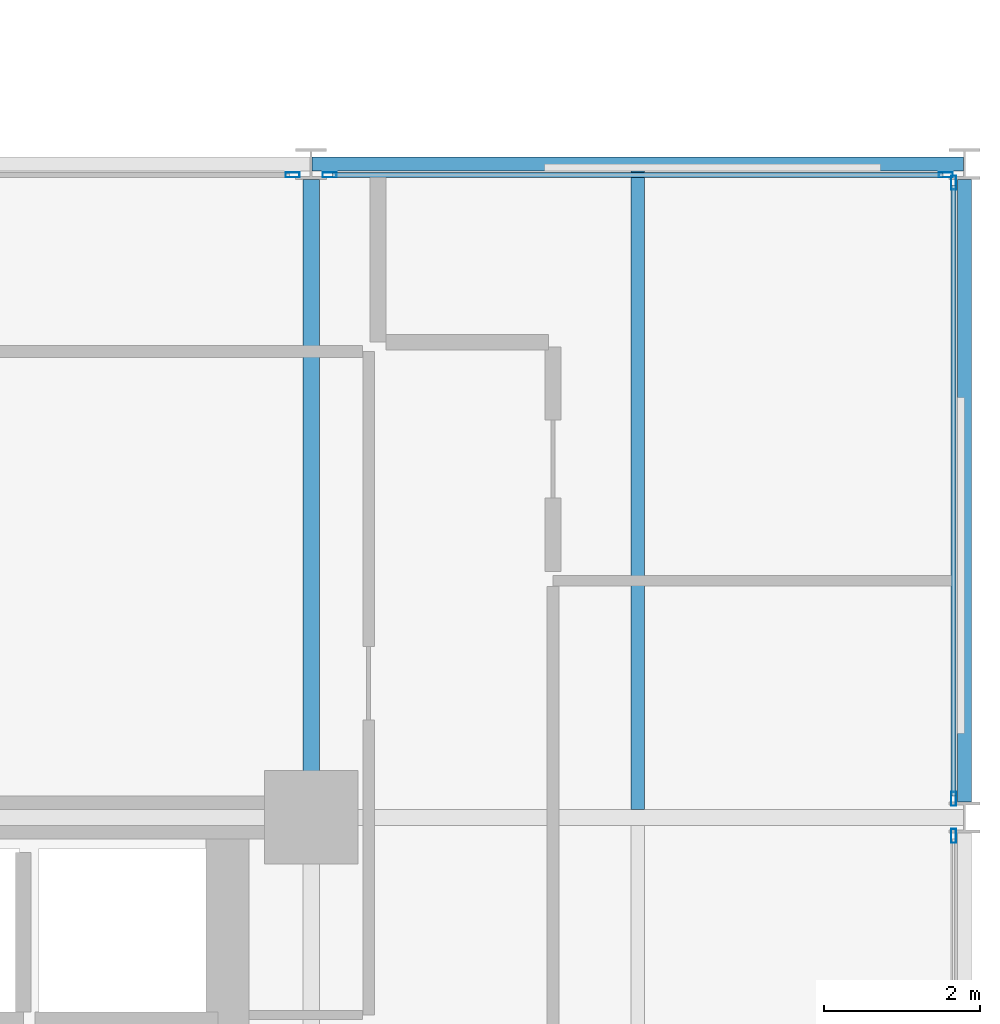
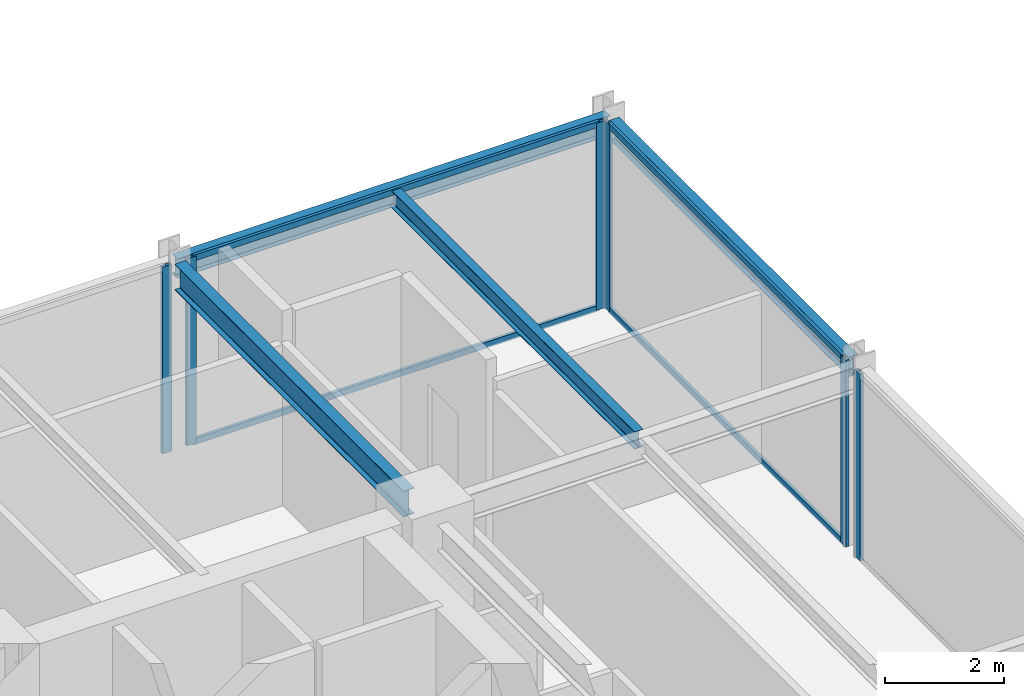
# One storey, part 15 of 29: 10 members, 4 beams, 4 elements without a shape of their own.
"""IFC4 building model written with IfcOpenShell, lengths in metres."""

from ifc_helpers import new_model, si_unit, direction, frame, origin, origin_2d, place, context, subcontext, project, spatial, hollow_rectangle, i_section, extrude, material, layer, layer_set, material_profile, profile_set, type_object, element, aggregate, save


model = new_model("IFC4")

# Units and contexts
model_context = context("Model", 3, precision=1e-05, world=origin(), true_north=direction((0.0, 1.0)))
body_context = subcontext(model_context, "Body", "Model", "MODEL_VIEW")
ifc_project = project(units=[si_unit("LENGTHUNIT", "METRE"), si_unit("AREAUNIT", "SQUARE_METRE"), si_unit("VOLUMEUNIT", "CUBIC_METRE"), si_unit("PLANEANGLEUNIT", "RADIAN"), si_unit("MASSUNIT", "GRAM", prefix="KILO")], contexts=[model_context])

# Site, building, storey
site_placement = place(None, origin())
site = spatial("IfcSite", under=ifc_project, at=site_placement, CompositionType="ELEMENT")
building_placement = place(site_placement, origin())
building = spatial("IfcBuilding", under=site, at=building_placement, Name="Nerrivon Quay Data Exchange", CompositionType="ELEMENT")
storey_placement = place(building_placement, frame((0.0, 0.0, 145.89990234375)))
storey = spatial("IfcBuildingStorey", under=building, at=storey_placement, Name="L34", CompositionType="ELEMENT", Elevation=145.89990234375)

# Beams
ifc_material_1 = material(Name="Steel Grade 350", Category="steel")
ifc_material_profile_1 = material_profile(ifc_material_1, i_section(OverallWidth=0.208984375, OverallDepth=0.528076171875, WebThickness=0.009521484375, FlangeThickness=0.01318359375, FilletRadius=0.013916015625, at=origin_2d()), Name="530UB82.0")
ifc_profile_set_1 = profile_set([ifc_material_profile_1], Name="Steel Grade 350")
beam_type_1 = type_object("IfcBeamType", Name="BM-G4-530UB82", PredefinedType="BEAM", material=ifc_profile_set_1)
beam_1_placement = place(storey_placement, frame((33.60009765625, 17.340087890625, 3.56103515625), z_axis=(0.0, 1.0, 0.0), x_axis=(-1.0, 0.0, 0.0)))
element("IfcBeam", 1, at=beam_1_placement, inside=storey, type_object=beam_type_1, Name="L34 NS Girder X=33.6 (16.8..25.2)", PredefinedType="BEAM", context=body_context, shape_type="SweptSolid", body=[
    extrude(i_section(OverallWidth=0.208984375, OverallDepth=0.528076171875, WebThickness=0.009521484375, FlangeThickness=0.01318359375, FilletRadius=0.013916015625, at=origin_2d()), origin(), (0.0, 0.0, 1.0), 7.659912109375),
])
ifc_material_profile_2 = material_profile(ifc_material_1, i_section(OverallWidth=0.1708984375, OverallDepth=0.35595703125, WebThickness=0.00732421875, FlangeThickness=0.011474609375, FilletRadius=0.011474609375, at=origin_2d()), Name="360UB50.7")
ifc_profile_set_2 = profile_set([ifc_material_profile_2], Name="Steel Grade 350")
beam_type_2 = type_object("IfcBeamType", Name="BM-J4-360UB51", PredefinedType="JOIST", material=ifc_profile_set_2)
beam_2_placement = place(storey_placement, frame((37.800048828125, 16.904541015625, 3.647216796875), z_axis=(0.0, 1.0, 0.0), x_axis=(-1.0, 0.0, 0.0)))
element("IfcBeam", 2, at=beam_2_placement, inside=storey, type_object=beam_type_2, Name="L34 Secondary Joist X=37.8 (16.8..25.2)", PredefinedType="JOIST", context=body_context, shape_type="SweptSolid", body=[
    extrude(i_section(OverallWidth=0.1708984375, OverallDepth=0.35595703125, WebThickness=0.00732421875, FlangeThickness=0.011474609375, FilletRadius=0.011474609375, at=origin_2d()), origin(), (0.0, 0.0, 1.0), 8.20654296875),
])
ifc_material_profile_3 = material_profile(ifc_material_1, i_section(OverallWidth=0.177978515625, OverallDepth=0.403076171875, WebThickness=0.007568359375, FlangeThickness=0.010986328125, FilletRadius=0.011474609375, at=origin_2d()), Name="410UB53.7")
ifc_profile_set_3 = profile_set([ifc_material_profile_3], Name="Steel Grade 350")
beam_type_3 = type_object("IfcBeamType", Name="BM-SP2-410UB54", PredefinedType="SPANDREL", material=ifc_profile_set_3)
beam_3_placement = place(storey_placement, frame((33.612548828125, 25.199951171875, 3.62353515625), z_axis=(1.0, 0.0, 0.0), x_axis=(0.0, 1.0, 0.0)))
element("IfcBeam", 3, at=beam_3_placement, inside=storey, type_object=beam_type_3, Name="L34 EW Girder Y=25.2 (33.6..42.0)", PredefinedType="SPANDREL", context=body_context, shape_type="SweptSolid", body=[
    extrude(i_section(OverallWidth=0.177978515625, OverallDepth=0.403076171875, WebThickness=0.007568359375, FlangeThickness=0.010986328125, FilletRadius=0.011474609375, at=origin_2d()), origin(), (0.0, 0.0, 1.0), 8.375),
])
beam_4_placement = place(storey_placement, frame((42.0, 17.0, 3.62353515625), z_axis=(0.0, 1.0, 0.0), x_axis=(-1.0, 0.0, 0.0)))
element("IfcBeam", 4, at=beam_4_placement, inside=storey, type_object=beam_type_3, Name="L34 NS Girder X=42.0 (16.8..25.2)", PredefinedType="SPANDREL", context=body_context, shape_type="SweptSolid", body=[
    extrude(i_section(OverallWidth=0.177978515625, OverallDepth=0.403076171875, WebThickness=0.007568359375, FlangeThickness=0.010986328125, FilletRadius=0.011474609375, at=origin_2d()), origin(), (0.0, 0.0, 1.0), 8.0),
])

# Curtain wall, member
ifc_material_2 = material(Name="Anodised aluminium 6063-T6", Category="aluminium")
ifc_layer = layer(ifc_material_2, 0.2099609375)
ifc_layer_set = layer_set([ifc_layer], Name="Anodised aluminium 6063-T6")
curtain_wall_type = type_object("IfcCurtainWallType", Name="CW-SYS-02", PredefinedType="NOTDEFINED", material=ifc_layer_set)
curtain_wall_1_placement = place(storey_placement, origin())
curtain_wall_1 = element("IfcCurtainWall", 5, at=curtain_wall_1_placement, inside=storey, type_object=curtain_wall_type, Name="L34 Unitised Curtain Wall 26", PredefinedType="NOTDEFINED")
ifc_material_profile_4 = material_profile(ifc_material_2, hollow_rectangle(XDim=0.06494140625, YDim=0.179931640625, WallThickness=0.00341796875, at=origin_2d()), Name="ALU-MULL-180x65")
ifc_profile_set_4 = profile_set([ifc_material_profile_4], Name="Anodised aluminium 6063-T6")
member_type_1 = type_object("IfcMemberType", Name="CWM-180x65", PredefinedType="MULLION", material=ifc_profile_set_4)
member_1_placement = place(storey_placement, frame((33.362548828125, 25.06005859375, 0.0), z_axis=(0.0, 0.0, 1.0), x_axis=(0.0, 1.0, 0.0)))
member_1 = element("IfcMember", 6, at=member_1_placement, type_object=member_type_1, Name="CW02 mullion 2", PredefinedType="MULLION", context=body_context, shape_type="SweptSolid", body=[
    extrude(hollow_rectangle(XDim=0.06494140625, YDim=0.179931640625, WallThickness=0.00341796875, at=origin_2d()), origin(), (0.0, 0.0, 1.0), 3.8251953125),
])
aggregate(curtain_wall_1, [member_1])

# Curtain wall, members
curtain_wall_2_placement = place(storey_placement, origin())
curtain_wall_2 = element("IfcCurtainWall", 7, at=curtain_wall_2_placement, inside=storey, type_object=curtain_wall_type, Name="L34 Unitised Curtain Wall 27", PredefinedType="NOTDEFINED")
member_2_placement = place(storey_placement, frame((33.83740234375, 25.06005859375, 0.0), z_axis=(0.0, 0.0, 1.0), x_axis=(0.0, 1.0, 0.0)))
member_2 = element("IfcMember", 8, at=member_2_placement, type_object=member_type_1, Name="CW02 mullion 1", PredefinedType="MULLION", context=body_context, shape_type="SweptSolid", body=[
    extrude(hollow_rectangle(XDim=0.06494140625, YDim=0.179931640625, WallThickness=0.00341796875, at=origin_2d()), origin(), (0.0, 0.0, 1.0), 3.8251953125),
])
member_3_placement = place(storey_placement, frame((41.762451171875, 25.06005859375, 0.0), z_axis=(0.0, 0.0, 1.0), x_axis=(0.0, 1.0, 0.0)))
member_3 = element("IfcMember", 9, at=member_3_placement, type_object=member_type_1, Name="CW02 mullion 2", PredefinedType="MULLION", context=body_context, shape_type="SweptSolid", body=[
    extrude(hollow_rectangle(XDim=0.06494140625, YDim=0.179931640625, WallThickness=0.00341796875, at=origin_2d()), origin(), (0.0, 0.0, 1.0), 3.8251953125),
])

curtain_wall_3_placement = place(storey_placement, origin())
curtain_wall_3 = element("IfcCurtainWall", 10, at=curtain_wall_3_placement, inside=storey, type_object=curtain_wall_type, Name="L34 Unitised Curtain Wall 28", PredefinedType="NOTDEFINED")
member_4_placement = place(storey_placement, frame((41.860107421875, 24.96240234375, 0.0), z_axis=(0.0, 0.0, 1.0), x_axis=(1.0, 0.0, 0.0)))
member_4 = element("IfcMember", 11, at=member_4_placement, type_object=member_type_1, Name="CW02 mullion 1", PredefinedType="MULLION", context=body_context, shape_type="SweptSolid", body=[
    extrude(hollow_rectangle(XDim=0.06494140625, YDim=0.179931640625, WallThickness=0.00341796875, at=origin_2d()), origin(), (0.0, 0.0, 1.0), 3.8251953125),
])
member_5_placement = place(storey_placement, frame((41.860107421875, 17.03759765625, 0.0), z_axis=(0.0, 0.0, 1.0), x_axis=(1.0, 0.0, 0.0)))
member_5 = element("IfcMember", 12, at=member_5_placement, type_object=member_type_1, Name="CW02 mullion 2", PredefinedType="MULLION", context=body_context, shape_type="SweptSolid", body=[
    extrude(hollow_rectangle(XDim=0.06494140625, YDim=0.179931640625, WallThickness=0.00341796875, at=origin_2d()), origin(), (0.0, 0.0, 1.0), 3.8251953125),
])

# Curtain wall, member
curtain_wall_4_placement = place(storey_placement, origin())
curtain_wall_4 = element("IfcCurtainWall", 13, at=curtain_wall_4_placement, inside=storey, type_object=curtain_wall_type, Name="L34 Unitised Curtain Wall 29", PredefinedType="NOTDEFINED")
member_6_placement = place(storey_placement, frame((41.860107421875, 16.5625, 0.0), z_axis=(0.0, 0.0, 1.0), x_axis=(1.0, 0.0, 0.0)))
member_6 = element("IfcMember", 14, at=member_6_placement, type_object=member_type_1, Name="CW02 mullion 1", PredefinedType="MULLION", context=body_context, shape_type="SweptSolid", body=[
    extrude(hollow_rectangle(XDim=0.06494140625, YDim=0.179931640625, WallThickness=0.00341796875, at=origin_2d()), origin(), (0.0, 0.0, 1.0), 3.8251953125),
])
aggregate(curtain_wall_4, [member_6])

# Member
ifc_material_profile_5 = material_profile(ifc_material_2, hollow_rectangle(XDim=0.06005859375, YDim=0.1201171875, WallThickness=0.003173828125, at=origin_2d()), Name="ALU-TRAN-120x60")
ifc_profile_set_5 = profile_set([ifc_material_profile_5], Name="Anodised aluminium 6063-T6")
member_type_2 = type_object("IfcMemberType", Name="CWT-120x60", PredefinedType="USERDEFINED", material=ifc_profile_set_5)
member_7_placement = place(storey_placement, frame((33.875, 25.06005859375, 0.03271484375), z_axis=(1.0, 0.0, 0.0), x_axis=(0.0, 1.0, 0.0)))
member_7 = element("IfcMember", 15, at=member_7_placement, type_object=member_type_2, Name="CW02 transom 1.1", ObjectType="TRANSOM", PredefinedType="USERDEFINED", context=body_context, shape_type="SweptSolid", body=[
    extrude(hollow_rectangle(XDim=0.06005859375, YDim=0.1201171875, WallThickness=0.003173828125, at=origin_2d()), origin(), (0.0, 0.0, 1.0), 7.85009765625),
])

member_8_placement = place(storey_placement, frame((33.875, 25.06005859375, 3.79248046875), z_axis=(1.0, 0.0, 0.0), x_axis=(0.0, 1.0, 0.0)))
member_8 = element("IfcMember", 16, at=member_8_placement, type_object=member_type_2, Name="CW02 transom 1.2", ObjectType="TRANSOM", PredefinedType="USERDEFINED", context=body_context, shape_type="SweptSolid", body=[
    extrude(hollow_rectangle(XDim=0.06005859375, YDim=0.1201171875, WallThickness=0.003173828125, at=origin_2d()), origin(), (0.0, 0.0, 1.0), 7.85009765625),
])

aggregate(curtain_wall_2, [member_2, member_3, member_7, member_8])

member_9_placement = place(storey_placement, frame((41.860107421875, 24.925048828125, 0.03271484375), z_axis=(0.0, -1.0, 0.0), x_axis=(1.0, 0.0, 0.0)))
member_9 = element("IfcMember", 17, at=member_9_placement, type_object=member_type_2, Name="CW02 transom 1.1", ObjectType="TRANSOM", PredefinedType="USERDEFINED", context=body_context, shape_type="SweptSolid", body=[
    extrude(hollow_rectangle(XDim=0.06005859375, YDim=0.1201171875, WallThickness=0.003173828125, at=origin_2d()), origin(), (0.0, 0.0, 1.0), 7.85009765625),
])

member_10_placement = place(storey_placement, frame((41.860107421875, 24.925048828125, 3.79248046875), z_axis=(0.0, -1.0, 0.0), x_axis=(1.0, 0.0, 0.0)))
member_10 = element("IfcMember", 18, at=member_10_placement, type_object=member_type_2, Name="CW02 transom 1.2", ObjectType="TRANSOM", PredefinedType="USERDEFINED", context=body_context, shape_type="SweptSolid", body=[
    extrude(hollow_rectangle(XDim=0.06005859375, YDim=0.1201171875, WallThickness=0.003173828125, at=origin_2d()), origin(), (0.0, 0.0, 1.0), 7.85009765625),
])

aggregate(curtain_wall_3, [member_4, member_5, member_9, member_10])

save(model, "model.ifc")
